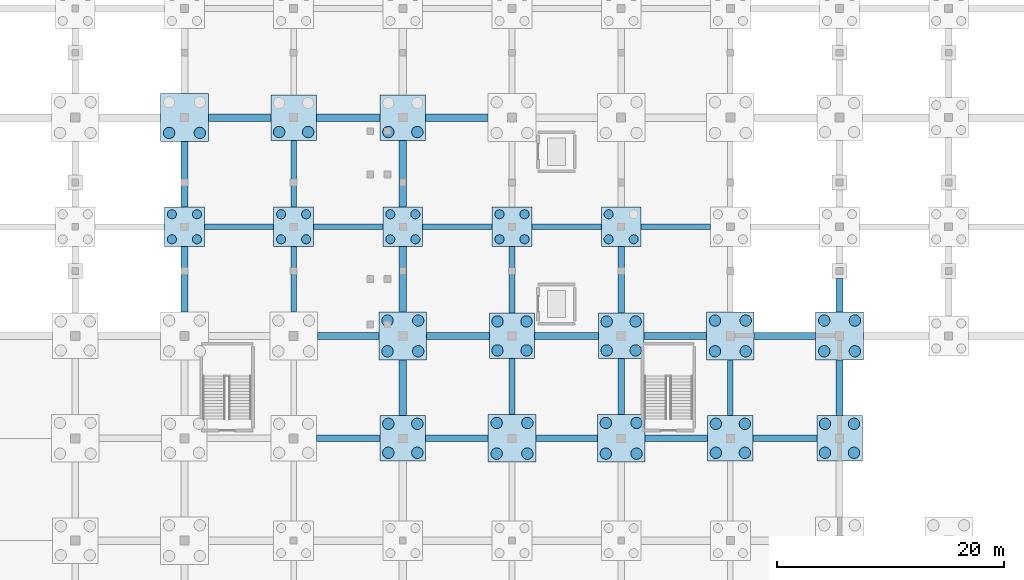
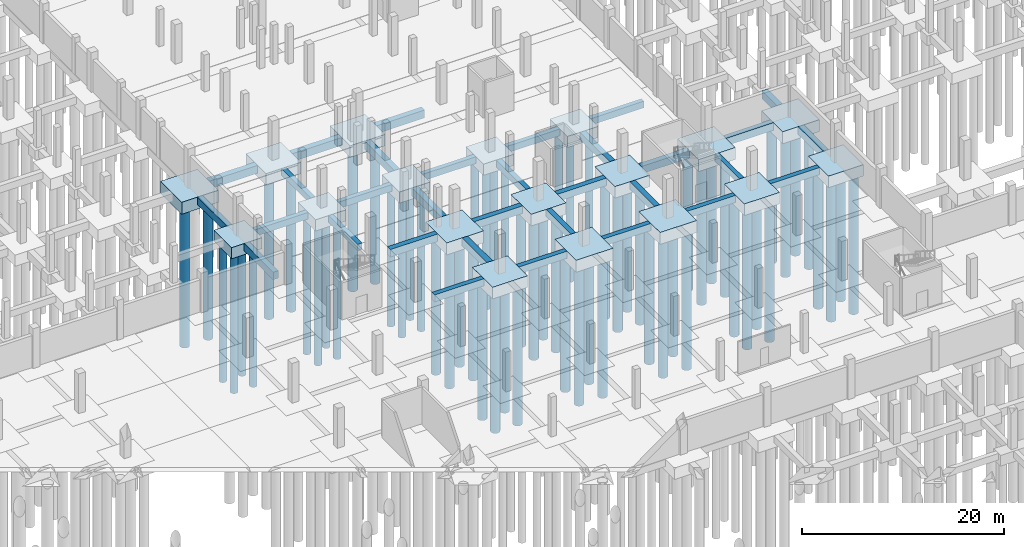
# One storey, part 9 of 39: 65 piles, 50 footings.
"""IFC4 building model written with IfcOpenShell, lengths in metres."""

from ifc_helpers import new_model, si_unit, direction, frame, origin, origin_2d, place, context, subcontext, project, spatial, polyline, rectangle, circle, outline, extrude, material, material_profile, profile_set, type_object, element, save


model = new_model("IFC4")

# Units and contexts
model_context = context("Model", 3, precision=1e-05, world=origin(), true_north=direction((0.0, 1.0)))
body_context = subcontext(model_context, "Body", "Model", "MODEL_VIEW")
ifc_project = project(units=[si_unit("LENGTHUNIT", "METRE"), si_unit("AREAUNIT", "SQUARE_METRE"), si_unit("VOLUMEUNIT", "CUBIC_METRE"), si_unit("PLANEANGLEUNIT", "RADIAN"), si_unit("MASSUNIT", "GRAM", prefix="KILO")], contexts=[model_context])

# Site, building, storey
site_placement = place(None, origin())
site = spatial("IfcSite", under=ifc_project, at=site_placement, CompositionType="ELEMENT")
building_placement = place(site_placement, origin())
building = spatial("IfcBuilding", under=site, at=building_placement, Name="Zarnetskaya Central Station", CompositionType="ELEMENT")
storey_placement = place(building_placement, frame((0.0, 0.0, -4.800048828125)))
storey = spatial("IfcBuildingStorey", under=building, at=storey_placement, Name="B1", CompositionType="ELEMENT", Elevation=-4.800048828125)

# Footings
ifc_material_1 = material(Name="Concrete C30/37", Category="concrete")
footing_type_1 = type_object("IfcFootingType", Name="FB-500x800", PredefinedType="FOOTING_BEAM", material=ifc_material_1)
footing_1_placement = place(storey_placement, frame((0.0, 0.0, -0.800048828125)))
element("IfcFooting", 1, at=footing_1_placement, inside=storey, type_object=footing_type_1, Name="Footing tie beam 10 H-J", PredefinedType="FOOTING_BEAM", context=body_context, shape_type="SweptSolid", body=[
    extrude(outline(polyline([(68.949951171875, 76.550048828125), (75.050048828125, 76.550048828125), (75.050048828125, 77.050048828125), (68.949951171875, 77.050048828125), (68.949951171875, 76.550048828125)])), origin(), (0.0, 0.0, 1.0), 0.800048828125),
])
footing_2_placement = place(storey_placement, frame((0.0, 0.0, -0.800048828125)))
element("IfcFooting", 2, at=footing_2_placement, inside=storey, type_object=footing_type_1, Name="Footing tie beam 10 J-K", PredefinedType="FOOTING_BEAM", context=body_context, shape_type="SweptSolid", body=[
    extrude(outline(polyline([(78.550048828125, 76.550048828125), (84.64990234375, 76.550048828125), (84.64990234375, 77.050048828125), (78.550048828125, 77.050048828125), (78.550048828125, 76.550048828125)])), origin(), (0.0, 0.0, 1.0), 0.800048828125),
])
footing_3_placement = place(storey_placement, frame((0.0, 0.0, -0.800048828125)))
element("IfcFooting", 3, at=footing_3_placement, inside=storey, type_object=footing_type_1, Name="Footing tie beam 10 K-L", PredefinedType="FOOTING_BEAM", context=body_context, shape_type="SweptSolid", body=[
    extrude(outline(polyline([(88.14990234375, 76.550048828125), (94.25, 76.550048828125), (94.25, 77.050048828125), (88.14990234375, 77.050048828125), (88.14990234375, 76.550048828125)])), origin(), (0.0, 0.0, 1.0), 0.800048828125),
])
footing_4_placement = place(storey_placement, frame((0.0, 0.0, -0.800048828125)))
element("IfcFooting", 4, at=footing_4_placement, inside=storey, type_object=footing_type_1, Name="Footing tie beam 10 L-M", PredefinedType="FOOTING_BEAM", context=body_context, shape_type="SweptSolid", body=[
    extrude(outline(polyline([(97.75, 76.550048828125), (103.85009765625, 76.550048828125), (103.85009765625, 77.050048828125), (97.75, 77.050048828125), (97.75, 76.550048828125)])), origin(), (0.0, 0.0, 1.0), 0.800048828125),
])
footing_5_placement = place(storey_placement, frame((0.0, 0.0, -0.800048828125)))
element("IfcFooting", 5, at=footing_5_placement, inside=storey, type_object=footing_type_1, Name="Footing tie beam 10 M-N", PredefinedType="FOOTING_BEAM", context=body_context, shape_type="SweptSolid", body=[
    extrude(outline(polyline([(107.35009765625, 76.550048828125), (113.449951171875, 76.550048828125), (113.449951171875, 77.050048828125), (107.35009765625, 77.050048828125), (107.35009765625, 76.550048828125)])), origin(), (0.0, 0.0, 1.0), 0.800048828125),
])
footing_6_placement = place(storey_placement, frame((0.0, 0.0, -0.800048828125)))
element("IfcFooting", 6, at=footing_6_placement, inside=storey, type_object=footing_type_1, Name="Footing tie beam J 9-10", PredefinedType="FOOTING_BEAM", context=body_context, shape_type="SweptSolid", body=[
    extrude(outline(polyline([(76.550048828125, 69.300048828125), (77.050048828125, 69.300048828125), (77.050048828125, 75.050048828125), (76.550048828125, 75.050048828125), (76.550048828125, 69.300048828125)])), origin(), (0.0, 0.0, 1.0), 0.800048828125),
])
footing_7_placement = place(storey_placement, frame((0.0, 0.0, -0.800048828125)))
element("IfcFooting", 7, at=footing_7_placement, inside=storey, type_object=footing_type_1, Name="Footing tie beam J 10-11", PredefinedType="FOOTING_BEAM", context=body_context, shape_type="SweptSolid", body=[
    extrude(outline(polyline([(76.550048828125, 78.550048828125), (77.050048828125, 78.550048828125), (77.050048828125, 84.39990234375), (76.550048828125, 84.39990234375), (76.550048828125, 78.550048828125)])), origin(), (0.0, 0.0, 1.0), 0.800048828125),
])
footing_8_placement = place(storey_placement, frame((0.0, 0.0, -0.800048828125)))
element("IfcFooting", 8, at=footing_8_placement, inside=storey, type_object=footing_type_1, Name="Footing tie beam N 8-9", PredefinedType="FOOTING_BEAM", context=body_context, shape_type="SweptSolid", body=[
    extrude(outline(polyline([(114.949951171875, 60.199951171875), (115.449951171875, 60.199951171875), (115.449951171875, 65.10009765625), (114.949951171875, 65.10009765625), (114.949951171875, 60.199951171875)])), origin(), (0.0, 0.0, 1.0), 0.800048828125),
])
footing_type_2 = type_object("IfcFootingType", Name="FB-550x850", PredefinedType="FOOTING_BEAM", material=ifc_material_1)
footing_9_placement = place(storey_placement, frame((0.0, 0.0, -0.849853515625)))
element("IfcFooting", 9, at=footing_9_placement, inside=storey, type_object=footing_type_2, Name="Footing tie beam 8 J-K", PredefinedType="FOOTING_BEAM", context=body_context, shape_type="SweptSolid", body=[
    extrude(outline(polyline([(78.800048828125, 57.925048828125), (84.39990234375, 57.925048828125), (84.39990234375, 58.47509765625), (78.800048828125, 58.47509765625), (78.800048828125, 57.925048828125)])), origin(), (0.0, 0.0, 1.0), 0.849853515625),
])
footing_10_placement = place(storey_placement, frame((0.0, 0.0, -0.849853515625)))
element("IfcFooting", 10, at=footing_10_placement, inside=storey, type_object=footing_type_2, Name="Footing tie beam 8 K-L", PredefinedType="FOOTING_BEAM", context=body_context, shape_type="SweptSolid", body=[
    extrude(outline(polyline([(88.39990234375, 57.925048828125), (93.89990234375, 57.925048828125), (93.89990234375, 58.47509765625), (88.39990234375, 58.47509765625), (88.39990234375, 57.925048828125)])), origin(), (0.0, 0.0, 1.0), 0.849853515625),
])
footing_11_placement = place(storey_placement, frame((0.0, 0.0, -0.849853515625)))
element("IfcFooting", 11, at=footing_11_placement, inside=storey, type_object=footing_type_2, Name="Footing tie beam 8 L-M", PredefinedType="FOOTING_BEAM", context=body_context, shape_type="SweptSolid", body=[
    extrude(outline(polyline([(98.10009765625, 57.925048828125), (103.5, 57.925048828125), (103.5, 58.47509765625), (98.10009765625, 58.47509765625), (98.10009765625, 57.925048828125)])), origin(), (0.0, 0.0, 1.0), 0.849853515625),
])
footing_12_placement = place(storey_placement, frame((0.0, 0.0, -0.849853515625)))
element("IfcFooting", 12, at=footing_12_placement, inside=storey, type_object=footing_type_2, Name="Footing tie beam 8 M-N", PredefinedType="FOOTING_BEAM", context=body_context, shape_type="SweptSolid", body=[
    extrude(outline(polyline([(107.699951171875, 57.925048828125), (113.199951171875, 57.925048828125), (113.199951171875, 58.47509765625), (107.699951171875, 58.47509765625), (107.699951171875, 57.925048828125)])), origin(), (0.0, 0.0, 1.0), 0.849853515625),
])
footing_13_placement = place(storey_placement, frame((0.0, 0.0, -0.849853515625)))
element("IfcFooting", 13, at=footing_13_placement, inside=storey, type_object=footing_type_2, Name="Footing tie beam 8 N-P", PredefinedType="FOOTING_BEAM", context=body_context, shape_type="SweptSolid", body=[
    extrude(outline(polyline([(117.199951171875, 57.925048828125), (122.800048828125, 57.925048828125), (122.800048828125, 58.47509765625), (117.199951171875, 58.47509765625), (117.199951171875, 57.925048828125)])), origin(), (0.0, 0.0, 1.0), 0.849853515625),
])
footing_14_placement = place(storey_placement, frame((0.0, 0.0, -0.849853515625)))
element("IfcFooting", 14, at=footing_14_placement, inside=storey, type_object=footing_type_2, Name="Footing tie beam L 8-9", PredefinedType="FOOTING_BEAM", context=body_context, shape_type="SweptSolid", body=[
    extrude(outline(polyline([(95.72509765625, 60.300048828125), (96.27490234375, 60.300048828125), (96.27490234375, 65.199951171875), (95.72509765625, 65.199951171875), (95.72509765625, 60.300048828125)])), origin(), (0.0, 0.0, 1.0), 0.849853515625),
])
footing_15_placement = place(storey_placement, frame((0.0, 0.0, -0.849853515625)))
element("IfcFooting", 15, at=footing_15_placement, inside=storey, type_object=footing_type_2, Name="Footing tie beam L 9-10", PredefinedType="FOOTING_BEAM", context=body_context, shape_type="SweptSolid", body=[
    extrude(outline(polyline([(95.72509765625, 69.199951171875), (96.27490234375, 69.199951171875), (96.27490234375, 75.050048828125), (95.72509765625, 75.050048828125), (95.72509765625, 69.199951171875)])), origin(), (0.0, 0.0, 1.0), 0.849853515625),
])
footing_type_3 = type_object("IfcFootingType", Name="FB-600x900", PredefinedType="FOOTING_BEAM", material=ifc_material_1)
footing_16_placement = place(storey_placement, frame((0.0, 0.0, -0.89990234375)))
element("IfcFooting", 16, at=footing_16_placement, inside=storey, type_object=footing_type_3, Name="Footing tie beam 9 J-K", PredefinedType="FOOTING_BEAM", context=body_context, shape_type="SweptSolid", body=[
    extrude(outline(polyline([(78.89990234375, 66.89990234375), (84.300048828125, 66.89990234375), (84.300048828125, 67.5), (78.89990234375, 67.5), (78.89990234375, 66.89990234375)])), origin(), (0.0, 0.0, 1.0), 0.89990234375),
])
footing_17_placement = place(storey_placement, frame((0.0, 0.0, -0.89990234375)))
element("IfcFooting", 17, at=footing_17_placement, inside=storey, type_object=footing_type_3, Name="Footing tie beam 9 K-L", PredefinedType="FOOTING_BEAM", context=body_context, shape_type="SweptSolid", body=[
    extrude(outline(polyline([(88.5, 66.89990234375), (94.0, 66.89990234375), (94.0, 67.5), (88.5, 67.5), (88.5, 66.89990234375)])), origin(), (0.0, 0.0, 1.0), 0.89990234375),
])
footing_18_placement = place(storey_placement, frame((0.0, 0.0, -0.89990234375)))
element("IfcFooting", 18, at=footing_18_placement, inside=storey, type_object=footing_type_3, Name="Footing tie beam 9 L-M", PredefinedType="FOOTING_BEAM", context=body_context, shape_type="SweptSolid", body=[
    extrude(outline(polyline([(98.0, 66.89990234375), (103.60009765625, 66.89990234375), (103.60009765625, 67.5), (98.0, 67.5), (98.0, 66.89990234375)])), origin(), (0.0, 0.0, 1.0), 0.89990234375),
])
footing_19_placement = place(storey_placement, frame((0.0, 0.0, -0.89990234375)))
element("IfcFooting", 19, at=footing_19_placement, inside=storey, type_object=footing_type_3, Name="Footing tie beam 9 M-N", PredefinedType="FOOTING_BEAM", context=body_context, shape_type="SweptSolid", body=[
    extrude(outline(polyline([(107.60009765625, 66.89990234375), (113.10009765625, 66.89990234375), (113.10009765625, 67.5), (107.60009765625, 67.5), (107.60009765625, 66.89990234375)])), origin(), (0.0, 0.0, 1.0), 0.89990234375),
])
footing_20_placement = place(storey_placement, frame((0.0, 0.0, -0.89990234375)))
element("IfcFooting", 20, at=footing_20_placement, inside=storey, type_object=footing_type_3, Name="Footing tie beam 9 N-P", PredefinedType="FOOTING_BEAM", context=body_context, shape_type="SweptSolid", body=[
    extrude(outline(polyline([(117.300048828125, 66.89990234375), (122.699951171875, 66.89990234375), (122.699951171875, 67.5), (117.300048828125, 67.5), (117.300048828125, 66.89990234375)])), origin(), (0.0, 0.0, 1.0), 0.89990234375),
])
footing_21_placement = place(storey_placement, frame((0.0, 0.0, -0.89990234375)))
element("IfcFooting", 21, at=footing_21_placement, inside=storey, type_object=footing_type_3, Name="Footing tie beam H 9-10", PredefinedType="FOOTING_BEAM", context=body_context, shape_type="SweptSolid", body=[
    extrude(outline(polyline([(66.89990234375, 69.300048828125), (67.5, 69.300048828125), (67.5, 75.050048828125), (66.89990234375, 75.050048828125), (66.89990234375, 69.300048828125)])), origin(), (0.0, 0.0, 1.0), 0.89990234375),
])
footing_22_placement = place(storey_placement, frame((0.0, 0.0, -0.89990234375)))
element("IfcFooting", 22, at=footing_22_placement, inside=storey, type_object=footing_type_3, Name="Footing tie beam H 10-11", PredefinedType="FOOTING_BEAM", context=body_context, shape_type="SweptSolid", body=[
    extrude(outline(polyline([(66.89990234375, 78.550048828125), (67.5, 78.550048828125), (67.5, 84.300048828125), (66.89990234375, 84.300048828125), (66.89990234375, 78.550048828125)])), origin(), (0.0, 0.0, 1.0), 0.89990234375),
])
footing_23_placement = place(storey_placement, frame((0.0, 0.0, -0.89990234375)))
element("IfcFooting", 23, at=footing_23_placement, inside=storey, type_object=footing_type_3, Name="Footing tie beam M 8-9", PredefinedType="FOOTING_BEAM", context=body_context, shape_type="SweptSolid", body=[
    extrude(outline(polyline([(105.300048828125, 60.300048828125), (105.89990234375, 60.300048828125), (105.89990234375, 65.199951171875), (105.300048828125, 65.199951171875), (105.300048828125, 60.300048828125)])), origin(), (0.0, 0.0, 1.0), 0.89990234375),
])
footing_24_placement = place(storey_placement, frame((0.0, 0.0, -0.89990234375)))
element("IfcFooting", 24, at=footing_24_placement, inside=storey, type_object=footing_type_3, Name="Footing tie beam M 9-10", PredefinedType="FOOTING_BEAM", context=body_context, shape_type="SweptSolid", body=[
    extrude(outline(polyline([(105.300048828125, 69.199951171875), (105.89990234375, 69.199951171875), (105.89990234375, 75.050048828125), (105.300048828125, 75.050048828125), (105.300048828125, 69.199951171875)])), origin(), (0.0, 0.0, 1.0), 0.89990234375),
])
footing_type_4 = type_object("IfcFootingType", Name="FB-650x950", PredefinedType="FOOTING_BEAM", material=ifc_material_1)
footing_25_placement = place(storey_placement, frame((0.0, 0.0, -0.949951171875)))
element("IfcFooting", 25, at=footing_25_placement, inside=storey, type_object=footing_type_4, Name="Footing tie beam 11 H-J", PredefinedType="FOOTING_BEAM", context=body_context, shape_type="SweptSolid", body=[
    extrude(outline(polyline([(69.300048828125, 86.074951171875), (74.800048828125, 86.074951171875), (74.800048828125, 86.72509765625), (69.300048828125, 86.72509765625), (69.300048828125, 86.074951171875)])), origin(), (0.0, 0.0, 1.0), 0.949951171875),
])
footing_26_placement = place(storey_placement, frame((0.0, 0.0, -0.949951171875)))
element("IfcFooting", 26, at=footing_26_placement, inside=storey, type_object=footing_type_4, Name="Footing tie beam 11 J-K", PredefinedType="FOOTING_BEAM", context=body_context, shape_type="SweptSolid", body=[
    extrude(outline(polyline([(78.800048828125, 86.074951171875), (84.39990234375, 86.074951171875), (84.39990234375, 86.72509765625), (78.800048828125, 86.72509765625), (78.800048828125, 86.074951171875)])), origin(), (0.0, 0.0, 1.0), 0.949951171875),
])
footing_27_placement = place(storey_placement, frame((0.0, 0.0, -0.949951171875)))
element("IfcFooting", 27, at=footing_27_placement, inside=storey, type_object=footing_type_4, Name="Footing tie beam 11 K-L", PredefinedType="FOOTING_BEAM", context=body_context, shape_type="SweptSolid", body=[
    extrude(outline(polyline([(88.39990234375, 86.074951171875), (93.89990234375, 86.074951171875), (93.89990234375, 86.72509765625), (88.39990234375, 86.72509765625), (88.39990234375, 86.074951171875)])), origin(), (0.0, 0.0, 1.0), 0.949951171875),
])
footing_28_placement = place(storey_placement, frame((0.0, 0.0, -0.949951171875)))
element("IfcFooting", 28, at=footing_28_placement, inside=storey, type_object=footing_type_4, Name="Footing tie beam K 8-9", PredefinedType="FOOTING_BEAM", context=body_context, shape_type="SweptSolid", body=[
    extrude(outline(polyline([(86.074951171875, 60.199951171875), (86.72509765625, 60.199951171875), (86.72509765625, 65.10009765625), (86.074951171875, 65.10009765625), (86.074951171875, 60.199951171875)])), origin(), (0.0, 0.0, 1.0), 0.949951171875),
])
footing_29_placement = place(storey_placement, frame((0.0, 0.0, -0.949951171875)))
element("IfcFooting", 29, at=footing_29_placement, inside=storey, type_object=footing_type_4, Name="Footing tie beam K 9-10", PredefinedType="FOOTING_BEAM", context=body_context, shape_type="SweptSolid", body=[
    extrude(outline(polyline([(86.074951171875, 69.300048828125), (86.72509765625, 69.300048828125), (86.72509765625, 75.050048828125), (86.074951171875, 75.050048828125), (86.074951171875, 69.300048828125)])), origin(), (0.0, 0.0, 1.0), 0.949951171875),
])
footing_30_placement = place(storey_placement, frame((0.0, 0.0, -0.949951171875)))
element("IfcFooting", 30, at=footing_30_placement, inside=storey, type_object=footing_type_4, Name="Footing tie beam K 10-11", PredefinedType="FOOTING_BEAM", context=body_context, shape_type="SweptSolid", body=[
    extrude(outline(polyline([(86.074951171875, 78.550048828125), (86.72509765625, 78.550048828125), (86.72509765625, 84.39990234375), (86.074951171875, 84.39990234375), (86.074951171875, 78.550048828125)])), origin(), (0.0, 0.0, 1.0), 0.949951171875),
])
footing_31_placement = place(storey_placement, frame((0.0, 0.0, -0.949951171875)))
element("IfcFooting", 31, at=footing_31_placement, inside=storey, type_object=footing_type_4, Name="Footing tie beam P 8-9", PredefinedType="FOOTING_BEAM", context=body_context, shape_type="SweptSolid", body=[
    extrude(outline(polyline([(124.47509765625, 60.199951171875), (125.125, 60.199951171875), (125.125, 65.10009765625), (124.47509765625, 65.10009765625), (124.47509765625, 60.199951171875)])), origin(), (0.0, 0.0, 1.0), 0.949951171875),
])
footing_32_placement = place(storey_placement, frame((0.0, 0.0, -0.949951171875)))
element("IfcFooting", 32, at=footing_32_placement, inside=storey, type_object=footing_type_4, Name="Footing tie beam P 9-10 part 1", PredefinedType="FOOTING_BEAM", context=body_context, shape_type="SweptSolid", body=[
    extrude(outline(polyline([(124.47509765625, 69.300048828125), (125.125, 69.300048828125), (125.125, 72.25), (124.47509765625, 72.25), (124.47509765625, 69.300048828125)])), origin(), (0.0, 0.0, 1.0), 0.949951171875),
])
ifc_material_2 = material(Name="Concrete C35/45", Category="concrete")
footing_type_5 = type_object("IfcFootingType", Name="PC-4P-1000A", PredefinedType="PILE_CAP", material=ifc_material_2)
for number, where, z_axis, x_axis, name in (
    (33, (67.199951171875, 86.39990234375, -1.44970703125), (0.0, 0.0, 1.0), (1.0, 0.0, 0.0), "Pile cap H11"),
    (34, (86.39990234375, 67.199951171875, -1.44970703125), (0.0, 0.0, 1.0), (1.0, 0.0, 0.0), "Pile cap K9"),
    (35, (96.0, 58.199951171875, -1.44970703125), (0.0, 0.0, 1.0), (1.0, 0.0, 0.0), "Pile cap L8"),
    (36, (105.60009765625, 58.199951171875, -1.44970703125), (0.0, 0.0, 1.0), (1.0, 0.0, 0.0), "Pile cap M8"),
    (37, (115.199951171875, 67.199951171875, -1.44970703125), (0.0, 0.0, 1.0), (1.0, 0.0, 0.0), "Pile cap N9"),
    (38, (124.800048828125, 67.199951171875, -1.44970703125), (0.0, 0.0, 1.0), (1.0, 0.0, 0.0), "Pile cap P9"),
):
    element("IfcFooting", number, at=place(storey_placement, frame(where, z_axis=z_axis, x_axis=x_axis)), inside=storey, type_object=footing_type_5, Name=name, PredefinedType="PILE_CAP", context=body_context, shape_type="SweptSolid", body=[
        extrude(rectangle(XDim=4.199951171875, YDim=4.199951171875, at=origin_2d()), origin(), (0.0, 0.0, 1.0), 1.449951171875),
    ])
footing_type_6 = type_object("IfcFootingType", Name="PC-4P-1000B", PredefinedType="PILE_CAP", material=ifc_material_2)
for number, where, z_axis, x_axis, name in (
    (39, (76.800048828125, 86.39990234375, -1.39990234375), (0.0, 0.0, 1.0), (1.0, 0.0, 0.0), "Pile cap J11"),
    (40, (86.39990234375, 58.199951171875, -1.39990234375), (0.0, 0.0, 1.0), (1.0, 0.0, 0.0), "Pile cap K8"),
    (41, (86.39990234375, 86.39990234375, -1.39990234375), (0.0, 0.0, 1.0), (1.0, 0.0, 0.0), "Pile cap K11"),
    (42, (96.0, 67.199951171875, -1.39990234375), (0.0, 0.0, 1.0), (1.0, 0.0, 0.0), "Pile cap L9"),
    (43, (105.60009765625, 67.199951171875, -1.39990234375), (0.0, 0.0, 1.0), (1.0, 0.0, 0.0), "Pile cap M9"),
    (44, (115.199951171875, 58.199951171875, -1.39990234375), (0.0, 0.0, 1.0), (1.0, 0.0, 0.0), "Pile cap N8"),
    (45, (124.800048828125, 58.199951171875, -1.39990234375), (0.0, 0.0, 1.0), (1.0, 0.0, 0.0), "Pile cap P8"),
):
    element("IfcFooting", number, at=place(storey_placement, frame(where, z_axis=z_axis, x_axis=x_axis)), inside=storey, type_object=footing_type_6, Name=name, PredefinedType="PILE_CAP", context=body_context, shape_type="SweptSolid", body=[
        extrude(rectangle(XDim=4.0, YDim=4.0, at=origin_2d()), origin(), (0.0, 0.0, 1.0), 1.39990234375),
    ])
footing_type_7 = type_object("IfcFootingType", Name="PC-4P-800A", PredefinedType="PILE_CAP", material=ifc_material_2)
for number, where, z_axis, x_axis, name in (
    (46, (67.199951171875, 76.800048828125, -1.35009765625), (0.0, 0.0, 1.0), (1.0, 0.0, 0.0), "Pile cap H10"),
    (47, (76.800048828125, 76.800048828125, -1.35009765625), (0.0, 0.0, 1.0), (1.0, 0.0, 0.0), "Pile cap J10"),
    (48, (86.39990234375, 76.800048828125, -1.35009765625), (0.0, 0.0, 1.0), (1.0, 0.0, 0.0), "Pile cap K10"),
    (49, (96.0, 76.800048828125, -1.35009765625), (0.0, 0.0, 1.0), (1.0, 0.0, 0.0), "Pile cap L10"),
    (50, (105.60009765625, 76.800048828125, -1.35009765625), (0.0, 0.0, 1.0), (1.0, 0.0, 0.0), "Pile cap M10"),
):
    element("IfcFooting", number, at=place(storey_placement, frame(where, z_axis=z_axis, x_axis=x_axis)), inside=storey, type_object=footing_type_7, Name=name, PredefinedType="PILE_CAP", context=body_context, shape_type="SweptSolid", body=[
        extrude(rectangle(XDim=3.5, YDim=3.5, at=origin_2d()), origin(), (0.0, 0.0, 1.0), 1.35009765625),
    ])

# Piles
ifc_material_profile_1 = material_profile(ifc_material_2, circle(Radius=0.5, at=origin_2d()), Name="BORED PILE D1000")
ifc_profile_set_1 = profile_set([ifc_material_profile_1], Name="Concrete C35/45")
pile_type_1 = type_object("IfcPileType", Name="PILE-D1000", PredefinedType="BORED", material=ifc_profile_set_1)
for number, where, z_axis, x_axis, name in (
    (51, (65.85009765625, 85.050048828125, -1.300048828125), (0.0, 0.0, -1.0), (1.0, 0.0, 0.0), "Bored pile H11-11"),
    (52, (68.550048828125, 85.050048828125, -1.300048828125), (0.0, 0.0, -1.0), (1.0, 0.0, 0.0), "Bored pile H11-21"),
):
    element("IfcPile", number, at=place(storey_placement, frame(where, z_axis=z_axis, x_axis=x_axis)), inside=storey, type_object=pile_type_1, Name=name, PredefinedType="BORED", context=body_context, shape_type="SweptSolid", body=[
        extrude(circle(Radius=0.5, at=origin_2d()), origin(), (0.0, 0.0, 1.0), 16.699951171875),
    ])
for number, where, z_axis, x_axis, name in (
    (53, (75.52490234375, 85.125, -1.25), (0.0, 0.0, -1.0), (1.0, 0.0, 0.0), "Bored pile J11-11"),
    (54, (78.074951171875, 85.125, -1.25), (0.0, 0.0, -1.0), (1.0, 0.0, 0.0), "Bored pile J11-21"),
    (55, (85.125, 56.925048828125, -1.25), (0.0, 0.0, -1.0), (1.0, 0.0, 0.0), "Bored pile K8-11"),
    (56, (85.125, 59.47509765625, -1.25), (0.0, 0.0, -1.0), (1.0, 0.0, 0.0), "Bored pile K8-12"),
    (57, (87.675048828125, 56.925048828125, -1.25), (0.0, 0.0, -1.0), (1.0, 0.0, 0.0), "Bored pile K8-21"),
    (58, (87.675048828125, 59.47509765625, -1.25), (0.0, 0.0, -1.0), (1.0, 0.0, 0.0), "Bored pile K8-22"),
):
    element("IfcPile", number, at=place(storey_placement, frame(where, z_axis=z_axis, x_axis=x_axis)), inside=storey, type_object=pile_type_1, Name=name, PredefinedType="BORED", context=body_context, shape_type="SweptSolid", body=[
        extrude(circle(Radius=0.5, at=origin_2d()), origin(), (0.0, 0.0, 1.0), 16.75),
    ])
for number, where, z_axis, x_axis, name in (
    (59, (85.050048828125, 65.85009765625, -1.300048828125), (0.0, 0.0, -1.0), (1.0, 0.0, 0.0), "Bored pile K9-11"),
    (60, (85.050048828125, 68.550048828125, -1.300048828125), (0.0, 0.0, -1.0), (1.0, 0.0, 0.0), "Bored pile K9-12"),
    (61, (87.75, 65.85009765625, -1.300048828125), (0.0, 0.0, -1.0), (1.0, 0.0, 0.0), "Bored pile K9-21"),
    (62, (87.75, 68.550048828125, -1.300048828125), (0.0, 0.0, -1.0), (1.0, 0.0, 0.0), "Bored pile K9-22"),
):
    element("IfcPile", number, at=place(storey_placement, frame(where, z_axis=z_axis, x_axis=x_axis)), inside=storey, type_object=pile_type_1, Name=name, PredefinedType="BORED", context=body_context, shape_type="SweptSolid", body=[
        extrude(circle(Radius=0.5, at=origin_2d()), origin(), (0.0, 0.0, 1.0), 16.699951171875),
    ])
for number, where, z_axis, x_axis, name in (
    (63, (85.125, 85.125, -1.25), (0.0, 0.0, -1.0), (1.0, 0.0, 0.0), "Bored pile K11-11"),
    (64, (87.675048828125, 85.125, -1.25), (0.0, 0.0, -1.0), (1.0, 0.0, 0.0), "Bored pile K11-21"),
):
    element("IfcPile", number, at=place(storey_placement, frame(where, z_axis=z_axis, x_axis=x_axis)), inside=storey, type_object=pile_type_1, Name=name, PredefinedType="BORED", context=body_context, shape_type="SweptSolid", body=[
        extrude(circle(Radius=0.5, at=origin_2d()), origin(), (0.0, 0.0, 1.0), 16.75),
    ])
for number, where, z_axis, x_axis, name in (
    (65, (94.64990234375, 56.85009765625, -1.300048828125), (0.0, 0.0, -1.0), (1.0, 0.0, 0.0), "Bored pile L8-11"),
    (66, (94.64990234375, 59.550048828125, -1.300048828125), (0.0, 0.0, -1.0), (1.0, 0.0, 0.0), "Bored pile L8-12"),
    (67, (97.35009765625, 56.85009765625, -1.300048828125), (0.0, 0.0, -1.0), (1.0, 0.0, 0.0), "Bored pile L8-21"),
    (68, (97.35009765625, 59.550048828125, -1.300048828125), (0.0, 0.0, -1.0), (1.0, 0.0, 0.0), "Bored pile L8-22"),
):
    element("IfcPile", number, at=place(storey_placement, frame(where, z_axis=z_axis, x_axis=x_axis)), inside=storey, type_object=pile_type_1, Name=name, PredefinedType="BORED", context=body_context, shape_type="SweptSolid", body=[
        extrude(circle(Radius=0.5, at=origin_2d()), origin(), (0.0, 0.0, 1.0), 16.699951171875),
    ])
for number, where, z_axis, x_axis, name in (
    (69, (94.72509765625, 65.925048828125, -1.25), (0.0, 0.0, -1.0), (1.0, 0.0, 0.0), "Bored pile L9-11"),
    (70, (94.72509765625, 68.47509765625, -1.25), (0.0, 0.0, -1.0), (1.0, 0.0, 0.0), "Bored pile L9-12"),
    (71, (97.27490234375, 65.925048828125, -1.25), (0.0, 0.0, -1.0), (1.0, 0.0, 0.0), "Bored pile L9-21"),
    (72, (97.27490234375, 68.47509765625, -1.25), (0.0, 0.0, -1.0), (1.0, 0.0, 0.0), "Bored pile L9-22"),
):
    element("IfcPile", number, at=place(storey_placement, frame(where, z_axis=z_axis, x_axis=x_axis)), inside=storey, type_object=pile_type_1, Name=name, PredefinedType="BORED", context=body_context, shape_type="SweptSolid", body=[
        extrude(circle(Radius=0.5, at=origin_2d()), origin(), (0.0, 0.0, 1.0), 16.75),
    ])
for number, where, z_axis, x_axis, name in (
    (73, (104.25, 56.85009765625, -1.300048828125), (0.0, 0.0, -1.0), (1.0, 0.0, 0.0), "Bored pile M8-11"),
    (74, (104.25, 59.550048828125, -1.300048828125), (0.0, 0.0, -1.0), (1.0, 0.0, 0.0), "Bored pile M8-12"),
    (75, (106.949951171875, 56.85009765625, -1.300048828125), (0.0, 0.0, -1.0), (1.0, 0.0, 0.0), "Bored pile M8-21"),
    (76, (106.949951171875, 59.550048828125, -1.300048828125), (0.0, 0.0, -1.0), (1.0, 0.0, 0.0), "Bored pile M8-22"),
):
    element("IfcPile", number, at=place(storey_placement, frame(where, z_axis=z_axis, x_axis=x_axis)), inside=storey, type_object=pile_type_1, Name=name, PredefinedType="BORED", context=body_context, shape_type="SweptSolid", body=[
        extrude(circle(Radius=0.5, at=origin_2d()), origin(), (0.0, 0.0, 1.0), 16.699951171875),
    ])
for number, where, z_axis, x_axis, name in (
    (77, (104.324951171875, 65.925048828125, -1.25), (0.0, 0.0, -1.0), (1.0, 0.0, 0.0), "Bored pile M9-11"),
    (78, (104.324951171875, 68.47509765625, -1.25), (0.0, 0.0, -1.0), (1.0, 0.0, 0.0), "Bored pile M9-12"),
    (79, (106.875, 65.925048828125, -1.25), (0.0, 0.0, -1.0), (1.0, 0.0, 0.0), "Bored pile M9-21"),
    (80, (106.875, 68.47509765625, -1.25), (0.0, 0.0, -1.0), (1.0, 0.0, 0.0), "Bored pile M9-22"),
    (81, (113.925048828125, 56.925048828125, -1.25), (0.0, 0.0, -1.0), (1.0, 0.0, 0.0), "Bored pile N8-11"),
    (82, (113.925048828125, 59.47509765625, -1.25), (0.0, 0.0, -1.0), (1.0, 0.0, 0.0), "Bored pile N8-12"),
    (83, (116.47509765625, 56.925048828125, -1.25), (0.0, 0.0, -1.0), (1.0, 0.0, 0.0), "Bored pile N8-21"),
    (84, (116.47509765625, 59.47509765625, -1.25), (0.0, 0.0, -1.0), (1.0, 0.0, 0.0), "Bored pile N8-22"),
):
    element("IfcPile", number, at=place(storey_placement, frame(where, z_axis=z_axis, x_axis=x_axis)), inside=storey, type_object=pile_type_1, Name=name, PredefinedType="BORED", context=body_context, shape_type="SweptSolid", body=[
        extrude(circle(Radius=0.5, at=origin_2d()), origin(), (0.0, 0.0, 1.0), 16.75),
    ])
for number, where, z_axis, x_axis, name in (
    (85, (113.85009765625, 65.85009765625, -1.300048828125), (0.0, 0.0, -1.0), (1.0, 0.0, 0.0), "Bored pile N9-11"),
    (86, (113.85009765625, 68.550048828125, -1.300048828125), (0.0, 0.0, -1.0), (1.0, 0.0, 0.0), "Bored pile N9-12"),
    (87, (116.550048828125, 65.85009765625, -1.300048828125), (0.0, 0.0, -1.0), (1.0, 0.0, 0.0), "Bored pile N9-21"),
    (88, (116.550048828125, 68.550048828125, -1.300048828125), (0.0, 0.0, -1.0), (1.0, 0.0, 0.0), "Bored pile N9-22"),
):
    element("IfcPile", number, at=place(storey_placement, frame(where, z_axis=z_axis, x_axis=x_axis)), inside=storey, type_object=pile_type_1, Name=name, PredefinedType="BORED", context=body_context, shape_type="SweptSolid", body=[
        extrude(circle(Radius=0.5, at=origin_2d()), origin(), (0.0, 0.0, 1.0), 16.699951171875),
    ])
for number, where, z_axis, x_axis, name in (
    (89, (123.52490234375, 56.925048828125, -1.25), (0.0, 0.0, -1.0), (1.0, 0.0, 0.0), "Bored pile P8-11"),
    (90, (123.52490234375, 59.47509765625, -1.25), (0.0, 0.0, -1.0), (1.0, 0.0, 0.0), "Bored pile P8-12"),
    (91, (126.074951171875, 56.925048828125, -1.25), (0.0, 0.0, -1.0), (1.0, 0.0, 0.0), "Bored pile P8-21"),
    (92, (126.074951171875, 59.47509765625, -1.25), (0.0, 0.0, -1.0), (1.0, 0.0, 0.0), "Bored pile P8-22"),
):
    element("IfcPile", number, at=place(storey_placement, frame(where, z_axis=z_axis, x_axis=x_axis)), inside=storey, type_object=pile_type_1, Name=name, PredefinedType="BORED", context=body_context, shape_type="SweptSolid", body=[
        extrude(circle(Radius=0.5, at=origin_2d()), origin(), (0.0, 0.0, 1.0), 16.75),
    ])
for number, where, z_axis, x_axis, name in (
    (93, (123.449951171875, 65.85009765625, -1.300048828125), (0.0, 0.0, -1.0), (1.0, 0.0, 0.0), "Bored pile P9-11"),
    (94, (123.449951171875, 68.550048828125, -1.300048828125), (0.0, 0.0, -1.0), (1.0, 0.0, 0.0), "Bored pile P9-12"),
    (95, (126.14990234375, 65.85009765625, -1.300048828125), (0.0, 0.0, -1.0), (1.0, 0.0, 0.0), "Bored pile P9-21"),
    (96, (126.14990234375, 68.550048828125, -1.300048828125), (0.0, 0.0, -1.0), (1.0, 0.0, 0.0), "Bored pile P9-22"),
):
    element("IfcPile", number, at=place(storey_placement, frame(where, z_axis=z_axis, x_axis=x_axis)), inside=storey, type_object=pile_type_1, Name=name, PredefinedType="BORED", context=body_context, shape_type="SweptSolid", body=[
        extrude(circle(Radius=0.5, at=origin_2d()), origin(), (0.0, 0.0, 1.0), 16.699951171875),
    ])
ifc_material_profile_2 = material_profile(ifc_material_2, circle(Radius=0.39990234375, at=origin_2d()), Name="BORED PILE D800")
ifc_profile_set_2 = profile_set([ifc_material_profile_2], Name="Concrete C35/45")
pile_type_2 = type_object("IfcPileType", Name="PILE-D800", PredefinedType="BORED", material=ifc_profile_set_2)
for number, where, z_axis, x_axis, name in (
    (97, (66.10009765625, 75.699951171875, -1.199951171875), (0.0, 0.0, -1.0), (1.0, 0.0, 0.0), "Bored pile H10-11"),
    (98, (66.10009765625, 77.89990234375, -1.199951171875), (0.0, 0.0, -1.0), (1.0, 0.0, 0.0), "Bored pile H10-12"),
    (99, (68.300048828125, 75.699951171875, -1.199951171875), (0.0, 0.0, -1.0), (1.0, 0.0, 0.0), "Bored pile H10-21"),
    (100, (68.300048828125, 77.89990234375, -1.199951171875), (0.0, 0.0, -1.0), (1.0, 0.0, 0.0), "Bored pile H10-22"),
    (101, (75.699951171875, 75.699951171875, -1.199951171875), (0.0, 0.0, -1.0), (1.0, 0.0, 0.0), "Bored pile J10-11"),
    (102, (75.699951171875, 77.89990234375, -1.199951171875), (0.0, 0.0, -1.0), (1.0, 0.0, 0.0), "Bored pile J10-12"),
    (103, (77.89990234375, 75.699951171875, -1.199951171875), (0.0, 0.0, -1.0), (1.0, 0.0, 0.0), "Bored pile J10-21"),
    (104, (77.89990234375, 77.89990234375, -1.199951171875), (0.0, 0.0, -1.0), (1.0, 0.0, 0.0), "Bored pile J10-22"),
    (105, (85.300048828125, 75.699951171875, -1.199951171875), (0.0, 0.0, -1.0), (1.0, 0.0, 0.0), "Bored pile K10-11"),
    (106, (85.300048828125, 77.89990234375, -1.199951171875), (0.0, 0.0, -1.0), (1.0, 0.0, 0.0), "Bored pile K10-12"),
    (107, (87.5, 75.699951171875, -1.199951171875), (0.0, 0.0, -1.0), (1.0, 0.0, 0.0), "Bored pile K10-21"),
    (108, (87.5, 77.89990234375, -1.199951171875), (0.0, 0.0, -1.0), (1.0, 0.0, 0.0), "Bored pile K10-22"),
    (109, (94.89990234375, 75.699951171875, -1.199951171875), (0.0, 0.0, -1.0), (1.0, 0.0, 0.0), "Bored pile L10-11"),
    (110, (94.89990234375, 77.89990234375, -1.199951171875), (0.0, 0.0, -1.0), (1.0, 0.0, 0.0), "Bored pile L10-12"),
    (111, (97.10009765625, 75.699951171875, -1.199951171875), (0.0, 0.0, -1.0), (1.0, 0.0, 0.0), "Bored pile L10-21"),
    (112, (97.10009765625, 77.89990234375, -1.199951171875), (0.0, 0.0, -1.0), (1.0, 0.0, 0.0), "Bored pile L10-22"),
    (113, (104.5, 75.699951171875, -1.199951171875), (0.0, 0.0, -1.0), (1.0, 0.0, 0.0), "Bored pile M10-11"),
    (114, (104.5, 77.89990234375, -1.199951171875), (0.0, 0.0, -1.0), (1.0, 0.0, 0.0), "Bored pile M10-12"),
    (115, (106.699951171875, 75.699951171875, -1.199951171875), (0.0, 0.0, -1.0), (1.0, 0.0, 0.0), "Bored pile M10-21"),
):
    element("IfcPile", number, at=place(storey_placement, frame(where, z_axis=z_axis, x_axis=x_axis)), inside=storey, type_object=pile_type_2, Name=name, PredefinedType="BORED", context=body_context, shape_type="SweptSolid", body=[
        extrude(circle(Radius=0.39990234375, at=origin_2d()), origin(), (0.0, 0.0, 1.0), 16.800048828125),
    ])

save(model, "model.ifc")
